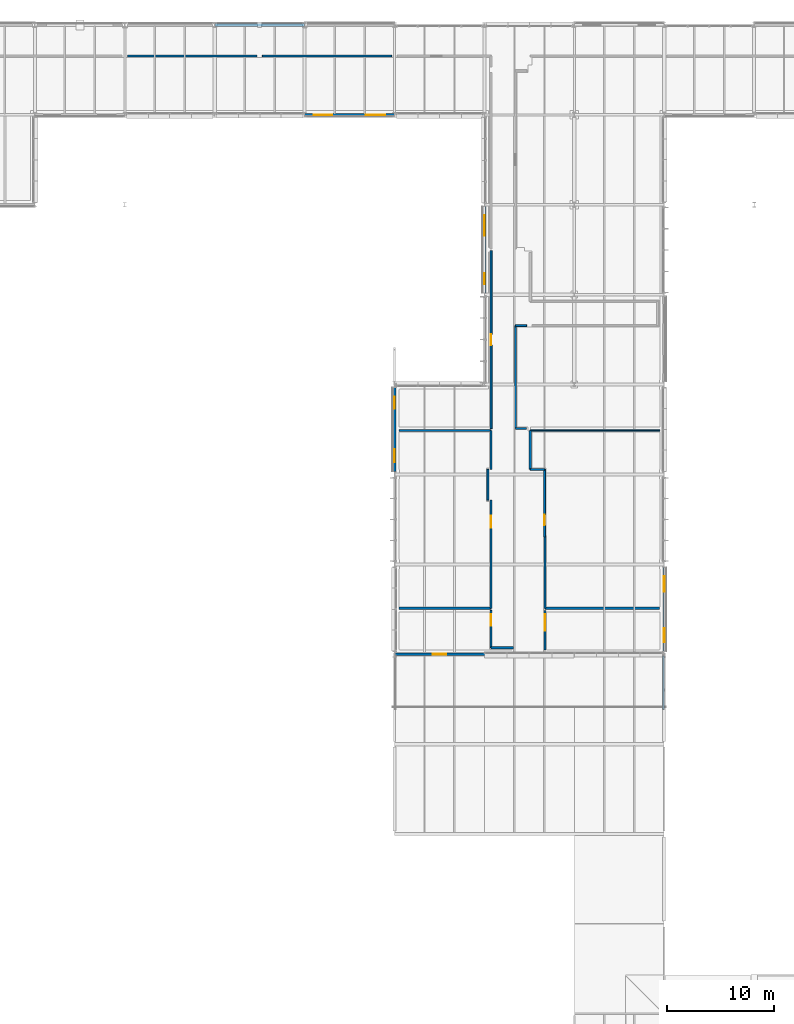
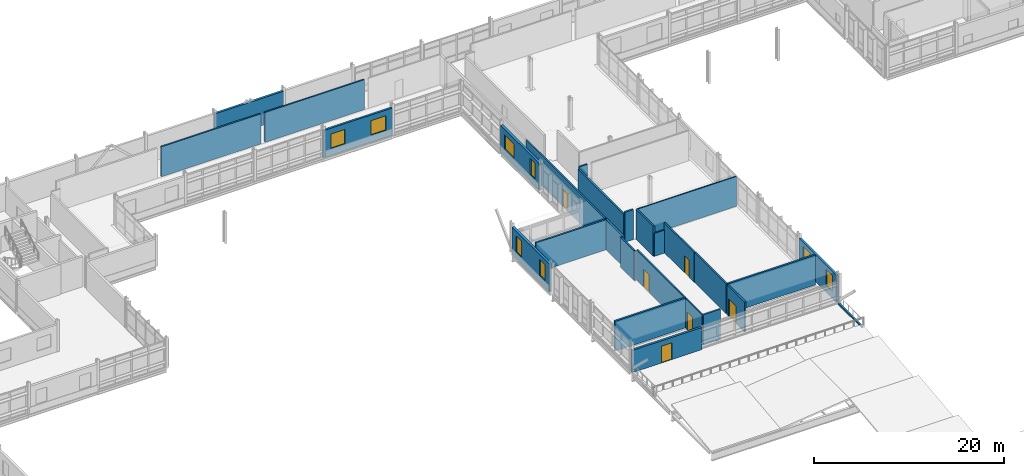
# One storey, part 86 of 103: 27 walls, 8 windows, 6 doors, 14 openings.
"""IFC4 building model written with IfcOpenShell, lengths in metres."""

from ifc_helpers import new_model, si_unit, direction, frame, frame_2d, origin, place, context, subcontext, project, spatial, rectangle, extrude, material, layer, layer_set, type_object, element, fill, save


model = new_model("IFC4")

# Units and contexts
model_context = context("Model", 3, precision=1e-05, world=origin(), true_north=direction((0.0, 1.0)))
body_context = subcontext(model_context, "Body", "Model", "MODEL_VIEW")
ifc_project = project(units=[si_unit("LENGTHUNIT", "METRE"), si_unit("AREAUNIT", "SQUARE_METRE"), si_unit("VOLUMEUNIT", "CUBIC_METRE"), si_unit("PLANEANGLEUNIT", "RADIAN"), si_unit("MASSUNIT", "GRAM", prefix="KILO")], contexts=[model_context])

# Site, building, storey
site_placement = place(None, origin())
site = spatial("IfcSite", under=ifc_project, at=site_placement, CompositionType="ELEMENT")
building_placement = place(site_placement, origin())
building = spatial("IfcBuilding", under=site, at=building_placement, Name="Mersafa Astral City Hall", CompositionType="ELEMENT")
storey_placement = place(building_placement, frame((0.0, 0.0, 18.0)))
storey = spatial("IfcBuildingStorey", under=building, at=storey_placement, Name="L04", CompositionType="ELEMENT", Elevation=18.0)

# Wall, openings, windows
ifc_material_1 = material(Name="Precast concrete C40/50 insulated terracotta spandrel", Category="masonry")
ifc_layer_1 = layer(ifc_material_1, 0.235107421875, Name="Precast concrete C40/50 insulated terracotta spandrel")
ifc_layer_set_1 = layer_set([ifc_layer_1], Name="Precast concrete C40/50 insulated terracotta spandrel — ENV-WAL-EXT-235")
wall_type_1 = type_object("IfcWallType", Name="ENV-WAL-EXT-235", PredefinedType="STANDARD", material=ifc_layer_set_1)
wall_1_placement = place(storey_placement, frame((84.008056640625, 117.60009765625, 0.0), z_axis=(0.0, 0.0, 1.0), x_axis=(1.0, 0.0, 0.0)))
wall_1 = element("IfcWall", 1, at=wall_1_placement, inside=storey, type_object=wall_type_1, Name="L04 Limestone-clad exterior wall 323", PredefinedType="STANDARD", context=body_context, shape_type="SweptSolid", body=[
    extrude(rectangle(XDim=8.384033203125, YDim=0.235107421875, at=frame_2d((4.19189453125, 0.0))), origin(), (0.0, 0.0, 1.0), 3.491943359375),
])
opening_1_placement = place(wall_1_placement, frame((0.85009765625, 0.0, 0.89990234375)))
opening_1 = element("IfcOpeningElement", 2, at=opening_1_placement, cuts=wall_1, Name="Opening W-48", PredefinedType="OPENING", context=body_context, shape_type="SweptSolid", body=[
    extrude(rectangle(XDim=1.719970703125, YDim=1.85009765625, at=frame_2d((0.85986328125, 0.925048828125))), frame((0.0, 0.12744140625, 0.0), z_axis=(0.0, -1.0, 0.0), x_axis=(1.0, 0.0, 0.0)), (0.0, 0.0, 1.0), 0.255126953125),
])
opening_2_placement = place(wall_1_placement, frame((5.714111328125, 0.0, 0.89990234375)))
opening_2 = element("IfcOpeningElement", 3, at=opening_2_placement, cuts=wall_1, Name="Opening W-49", PredefinedType="OPENING", context=body_context, shape_type="SweptSolid", body=[
    extrude(rectangle(XDim=1.820068359375, YDim=1.85009765625, at=frame_2d((0.91015625, 0.925048828125))), frame((0.0, 0.12744140625, 0.0), z_axis=(0.0, -1.0, 0.0), x_axis=(1.0, 0.0, 0.0)), (0.0, 0.0, 1.0), 0.255126953125),
])
ifc_material_2 = material(Name="Solar control low-e double glazing in bronze frame", Category="glass")
window_type_1 = type_object("IfcWindowType", Name="ENV-WIN-W-48", PartitioningType="SINGLE_PANEL", PredefinedType="WINDOW", material=ifc_material_2)
window_1_placement = place(opening_1_placement, origin())
window_1 = element("IfcWindow", 4, at=window_1_placement, inside=storey, type_object=window_type_1, Name="L04 Solar punched window 323-L", OverallHeight=1.85009765625, OverallWidth=1.719970703125, PartitioningType="SINGLE_PANEL", PredefinedType="WINDOW", context=body_context, shape_type="SweptSolid", body=[
    extrude(rectangle(XDim=1.719970703125, YDim=1.85009765625, at=frame_2d((0.85986328125, 0.925048828125))), frame((0.0, 0.030029296875, 0.0), z_axis=(0.0, -1.0, 0.0), x_axis=(1.0, 0.0, 0.0)), (0.0, 0.0, 1.0), 0.06005859375),
])
fill(opening_1, window_1)
window_type_2 = type_object("IfcWindowType", Name="ENV-WIN-W-49", PartitioningType="SINGLE_PANEL", PredefinedType="WINDOW", material=ifc_material_2)
window_2_placement = place(opening_2_placement, origin())
window_2 = element("IfcWindow", 5, at=window_2_placement, inside=storey, type_object=window_type_2, Name="L04 Solar punched window 323-R", OverallHeight=1.85009765625, OverallWidth=1.820068359375, PartitioningType="SINGLE_PANEL", PredefinedType="WINDOW", context=body_context, shape_type="SweptSolid", body=[
    extrude(rectangle(XDim=1.820068359375, YDim=1.85009765625, at=frame_2d((0.91015625, 0.925048828125))), frame((0.0, 0.030029296875, 0.0), z_axis=(0.0, -1.0, 0.0), x_axis=(1.0, 0.0, 0.0)), (0.0, 0.0, 1.0), 0.06005859375),
])
fill(opening_2, window_2)

# Wall
ifc_material_3 = material(Name="Precast concrete C40/50 insulated limestone wall", Category="masonry")
ifc_layer_2 = layer(ifc_material_3, 0.264892578125, Name="Precast concrete C40/50 insulated limestone wall")
ifc_layer_set_2 = layer_set([ifc_layer_2], Name="Precast concrete C40/50 insulated limestone wall — ENV-WAL-EXT-265")
wall_type_2 = type_object("IfcWallType", Name="ENV-WAL-EXT-265", PredefinedType="STANDARD", material=ifc_layer_set_2)
wall_2_placement = place(storey_placement, frame((83.991943359375, 126.0, 0.0), z_axis=(0.0, 0.0, 1.0), x_axis=(-1.0, 0.0, 0.0)))
element("IfcWall", 6, at=wall_2_placement, inside=storey, type_object=wall_type_2, Name="L04 Limestone-clad exterior wall 303", PredefinedType="STANDARD", context=body_context, shape_type="SweptSolid", body=[
    extrude(rectangle(XDim=8.384033203125, YDim=0.264892578125, at=frame_2d((4.19189453125, 0.0))), origin(), (0.0, 0.0, 1.0), 3.491943359375),
])

# Wall, opening, door
wall_3_placement = place(storey_placement, frame((92.407958984375, 67.199951171875, 0.0), z_axis=(0.0, 0.0, 1.0), x_axis=(1.0, 0.0, 0.0)))
wall_3 = element("IfcWall", 7, at=wall_3_placement, inside=storey, type_object=wall_type_2, Name="L04 Terrace access facade wall TER-L04-V2S", PredefinedType="STANDARD", context=body_context, shape_type="SweptSolid", body=[
    extrude(rectangle(XDim=8.45703125, YDim=0.264892578125, at=frame_2d((4.228515625, 0.0))), origin(), (0.0, 0.0, 1.0), 2.85205078125),
])
opening_3_placement = place(wall_3_placement, frame((3.575927734375, 0.0, 0.0)))
opening_3 = element("IfcOpeningElement", 8, at=opening_3_placement, cuts=wall_3, Name="Opening TD-5", PredefinedType="OPENING", context=body_context, shape_type="SweptSolid", body=[
    extrude(rectangle(XDim=1.239990234375, YDim=2.159912109375, at=frame_2d((0.6201171875, 1.080078125))), frame((0.0, 0.142333984375, 0.0), z_axis=(0.0, -1.0, 0.0), x_axis=(1.0, 0.0, 0.0)), (0.0, 0.0, 1.0), 0.284912109375),
])
ifc_material_4 = material(Name="Anodised bronze glazed terrace door", Category="metal")
door_type_1 = type_object("IfcDoorType", Name="ENV-DR-TER-1240", OperationType="NOTDEFINED", PredefinedType="DOOR", material=ifc_material_4)
door_1_placement = place(opening_3_placement, origin())
door_1 = element("IfcDoor", 9, at=door_1_placement, inside=storey, type_object=door_type_1, Name="L04 Civic Roof Terrace Access Door TER-L04-V2S", OperationType="SINGLE_SWING_LEFT", OverallHeight=2.159912109375, OverallWidth=1.239990234375, PredefinedType="DOOR", context=body_context, shape_type="SweptSolid", body=[
    extrude(rectangle(XDim=1.239990234375, YDim=2.159912109375, at=frame_2d((0.6201171875, 1.080078125))), frame((0.0, 0.02490234375, 0.0), z_axis=(0.0, -1.0, 0.0), x_axis=(1.0, 0.0, 0.0)), (0.0, 0.0, 1.0), 0.050048828125),
])
fill(opening_3, door_1)

# Wall, openings, windows
wall_4_placement = place(storey_placement, frame((117.60009765625, 67.470947265625, 0.0), z_axis=(0.0, 0.0, 1.0), x_axis=(0.0, 1.0, 0.0)))
wall_4 = element("IfcWall", 10, at=wall_4_placement, inside=storey, type_object=wall_type_2, Name="L04 Limestone-clad exterior wall 327", PredefinedType="STANDARD", context=body_context, shape_type="SweptSolid", body=[
    extrude(rectangle(XDim=7.858154296875, YDim=0.264892578125, at=frame_2d((3.92919921875, 0.0))), origin(), (0.0, 0.0, 1.0), 3.491943359375),
])
opening_4_placement = place(wall_4_placement, frame((0.85009765625, 0.0, 0.89990234375)))
opening_4 = element("IfcOpeningElement", 11, at=opening_4_placement, cuts=wall_4, Name="Opening W-54", PredefinedType="OPENING", context=body_context, shape_type="SweptSolid", body=[
    extrude(rectangle(XDim=1.320068359375, YDim=2.050048828125, at=frame_2d((0.66015625, 1.02490234375))), frame((0.0, 0.142333984375, 0.0), z_axis=(0.0, -1.0, 0.0), x_axis=(1.0, 0.0, 0.0)), (0.0, 0.0, 1.0), 0.284912109375),
])
opening_5_placement = place(wall_4_placement, frame((5.587890625, 0.0, 0.89990234375)))
opening_5 = element("IfcOpeningElement", 12, at=opening_5_placement, cuts=wall_4, Name="Opening W-55", PredefinedType="OPENING", context=body_context, shape_type="SweptSolid", body=[
    extrude(rectangle(XDim=1.419921875, YDim=2.050048828125, at=frame_2d((0.7099609375, 1.02490234375))), frame((0.0, 0.142333984375, 0.0), z_axis=(0.0, -1.0, 0.0), x_axis=(1.0, 0.0, 0.0)), (0.0, 0.0, 1.0), 0.284912109375),
])
window_type_3 = type_object("IfcWindowType", Name="ENV-WIN-W-54", PartitioningType="SINGLE_PANEL", PredefinedType="WINDOW", material=ifc_material_2)
window_3_placement = place(opening_4_placement, origin())
window_3 = element("IfcWindow", 13, at=window_3_placement, inside=storey, type_object=window_type_3, Name="L04 Solar punched window 327-L", OverallHeight=2.050048828125, OverallWidth=1.320068359375, PartitioningType="SINGLE_PANEL", PredefinedType="WINDOW", context=body_context, shape_type="SweptSolid", body=[
    extrude(rectangle(XDim=1.320068359375, YDim=2.050048828125, at=frame_2d((0.66015625, 1.02490234375))), frame((0.0, 0.030029296875, 0.0), z_axis=(0.0, -1.0, 0.0), x_axis=(1.0, 0.0, 0.0)), (0.0, 0.0, 1.0), 0.06005859375),
])
fill(opening_4, window_3)
window_type_4 = type_object("IfcWindowType", Name="ENV-WIN-W-55", PartitioningType="SINGLE_PANEL", PredefinedType="WINDOW", material=ifc_material_2)
window_4_placement = place(opening_5_placement, origin())
window_4 = element("IfcWindow", 14, at=window_4_placement, inside=storey, type_object=window_type_4, Name="L04 Solar punched window 327-R", OverallHeight=2.050048828125, OverallWidth=1.419921875, PartitioningType="SINGLE_PANEL", PredefinedType="WINDOW", context=body_context, shape_type="SweptSolid", body=[
    extrude(rectangle(XDim=1.419921875, YDim=2.050048828125, at=frame_2d((0.7099609375, 1.02490234375))), frame((0.0, 0.030029296875, 0.0), z_axis=(0.0, -1.0, 0.0), x_axis=(1.0, 0.0, 0.0)), (0.0, 0.0, 1.0), 0.06005859375),
])
fill(opening_5, window_4)

ifc_layer_3 = layer(ifc_material_3, 0.294921875, Name="Precast concrete C40/50 insulated limestone wall")
ifc_layer_set_3 = layer_set([ifc_layer_3], Name="Precast concrete C40/50 insulated limestone wall — ENV-WAL-EXT-295")
wall_type_3 = type_object("IfcWallType", Name="ENV-WAL-EXT-295", PredefinedType="STANDARD", material=ifc_layer_set_3)
wall_5_placement = place(storey_placement, frame((92.39990234375, 92.12890625, 0.0), z_axis=(0.0, 0.0, 1.0), x_axis=(0.0, -1.0, 0.0)))
wall_5 = element("IfcWall", 15, at=wall_5_placement, inside=storey, type_object=wall_type_3, Name="L04 Limestone-clad exterior wall 325", PredefinedType="STANDARD", context=body_context, shape_type="SweptSolid", body=[
    extrude(rectangle(XDim=7.85791015625, YDim=0.294921875, at=frame_2d((3.928955078125, 0.0))), origin(), (0.0, 0.0, 1.0), 3.58203125),
])
opening_6_placement = place(wall_5_placement, frame((0.85009765625, 0.0, 0.89990234375)))
opening_6 = element("IfcOpeningElement", 16, at=opening_6_placement, cuts=wall_5, Name="Opening W-52", PredefinedType="OPENING", context=body_context, shape_type="SweptSolid", body=[
    extrude(rectangle(XDim=1.1201171875, YDim=2.050048828125, at=frame_2d((0.56005859375, 1.02490234375))), frame((0.0, 0.157470703125, 0.0), z_axis=(0.0, -1.0, 0.0), x_axis=(1.0, 0.0, 0.0)), (0.0, 0.0, 1.0), 0.31494140625),
])
opening_7_placement = place(wall_5_placement, frame((5.7880859375, 0.0, 0.89990234375)))
opening_7 = element("IfcOpeningElement", 17, at=opening_7_placement, cuts=wall_5, Name="Opening W-53", PredefinedType="OPENING", context=body_context, shape_type="SweptSolid", body=[
    extrude(rectangle(XDim=1.219970703125, YDim=2.050048828125, at=frame_2d((0.60986328125, 1.02490234375))), frame((0.0, 0.157470703125, 0.0), z_axis=(0.0, -1.0, 0.0), x_axis=(1.0, 0.0, 0.0)), (0.0, 0.0, 1.0), 0.31494140625),
])
window_type_5 = type_object("IfcWindowType", Name="ENV-WIN-W-52", PartitioningType="SINGLE_PANEL", PredefinedType="WINDOW", material=ifc_material_2)
window_5_placement = place(opening_6_placement, origin())
window_5 = element("IfcWindow", 18, at=window_5_placement, inside=storey, type_object=window_type_5, Name="L04 Solar punched window 325-L", OverallHeight=2.050048828125, OverallWidth=1.1201171875, PartitioningType="SINGLE_PANEL", PredefinedType="WINDOW", context=body_context, shape_type="SweptSolid", body=[
    extrude(rectangle(XDim=1.1201171875, YDim=2.050048828125, at=frame_2d((0.56005859375, 1.02490234375))), frame((0.0, 0.030029296875, 0.0), z_axis=(0.0, -1.0, 0.0), x_axis=(1.0, 0.0, 0.0)), (0.0, 0.0, 1.0), 0.06005859375),
])
fill(opening_6, window_5)
window_type_6 = type_object("IfcWindowType", Name="ENV-WIN-W-53", PartitioningType="SINGLE_PANEL", PredefinedType="WINDOW", material=ifc_material_2)
window_6_placement = place(opening_7_placement, origin())
window_6 = element("IfcWindow", 19, at=window_6_placement, inside=storey, type_object=window_type_6, Name="L04 Solar punched window 325-R", OverallHeight=2.050048828125, OverallWidth=1.219970703125, PartitioningType="SINGLE_PANEL", PredefinedType="WINDOW", context=body_context, shape_type="SweptSolid", body=[
    extrude(rectangle(XDim=1.219970703125, YDim=2.050048828125, at=frame_2d((0.60986328125, 1.02490234375))), frame((0.0, 0.030029296875, 0.0), z_axis=(0.0, -1.0, 0.0), x_axis=(1.0, 0.0, 0.0)), (0.0, 0.0, 1.0), 0.06005859375),
])
fill(opening_7, window_6)

ifc_layer_4 = layer(ifc_material_3, 0.31005859375, Name="Precast concrete C40/50 insulated limestone wall")
ifc_layer_set_4 = layer_set([ifc_layer_4], Name="Precast concrete C40/50 insulated limestone wall — ENV-WAL-EXT-310")
wall_type_4 = type_object("IfcWallType", Name="ENV-WAL-EXT-310", PredefinedType="STANDARD", material=ifc_layer_set_4)
wall_6_placement = place(storey_placement, frame((100.800048828125, 109.053955078125, 0.0), z_axis=(0.0, 0.0, 1.0), x_axis=(0.0, -1.0, 0.0)))
wall_6 = element("IfcWall", 20, at=wall_6_placement, inside=storey, type_object=wall_type_4, Name="L04 Limestone-clad exterior wall 324", PredefinedType="STANDARD", context=body_context, shape_type="SweptSolid", body=[
    extrude(rectangle(XDim=8.10791015625, YDim=0.31005859375, at=frame_2d((4.053955078125, 0.0))), origin(), (0.0, 0.0, 1.0), 3.471923828125),
])
opening_8_placement = place(wall_6_placement, frame((0.85009765625, 0.0, 0.89990234375)))
opening_8 = element("IfcOpeningElement", 21, at=opening_8_placement, cuts=wall_6, Name="Opening W-50", PredefinedType="OPENING", context=body_context, shape_type="SweptSolid", body=[
    extrude(rectangle(XDim=1.919921875, YDim=1.85009765625, at=frame_2d((0.9599609375, 0.925048828125))), frame((0.0, 0.1650390625, 0.0), z_axis=(0.0, -1.0, 0.0), x_axis=(1.0, 0.0, 0.0)), (0.0, 0.0, 1.0), 0.330078125),
])
opening_9_placement = place(wall_6_placement, frame((6.238037109375, 0.0, 0.89990234375)))
opening_9 = element("IfcOpeningElement", 22, at=opening_9_placement, cuts=wall_6, Name="Opening W-51", PredefinedType="OPENING", context=body_context, shape_type="SweptSolid", body=[
    extrude(rectangle(XDim=1.02001953125, YDim=2.050048828125, at=frame_2d((0.510009765625, 1.02490234375))), frame((0.0, 0.1650390625, 0.0), z_axis=(0.0, -1.0, 0.0), x_axis=(1.0, 0.0, 0.0)), (0.0, 0.0, 1.0), 0.330078125),
])
window_type_7 = type_object("IfcWindowType", Name="ENV-WIN-W-50", PartitioningType="SINGLE_PANEL", PredefinedType="WINDOW", material=ifc_material_2)
window_7_placement = place(opening_8_placement, origin())
window_7 = element("IfcWindow", 23, at=window_7_placement, inside=storey, type_object=window_type_7, Name="L04 Solar punched window 324-L", OverallHeight=1.85009765625, OverallWidth=1.919921875, PartitioningType="SINGLE_PANEL", PredefinedType="WINDOW", context=body_context, shape_type="SweptSolid", body=[
    extrude(rectangle(XDim=1.919921875, YDim=1.85009765625, at=frame_2d((0.9599609375, 0.925048828125))), frame((0.0, 0.030029296875, 0.0), z_axis=(0.0, -1.0, 0.0), x_axis=(1.0, 0.0, 0.0)), (0.0, 0.0, 1.0), 0.06005859375),
])
fill(opening_8, window_7)
window_type_8 = type_object("IfcWindowType", Name="ENV-WIN-W-51", PartitioningType="SINGLE_PANEL", PredefinedType="WINDOW", material=ifc_material_2)
window_8_placement = place(opening_9_placement, origin())
window_8 = element("IfcWindow", 24, at=window_8_placement, inside=storey, type_object=window_type_8, Name="L04 Solar punched window 324-R", OverallHeight=2.050048828125, OverallWidth=1.02001953125, PartitioningType="SINGLE_PANEL", PredefinedType="WINDOW", context=body_context, shape_type="SweptSolid", body=[
    extrude(rectangle(XDim=1.02001953125, YDim=2.050048828125, at=frame_2d((0.510009765625, 1.02490234375))), frame((0.0, 0.030029296875, 0.0), z_axis=(0.0, -1.0, 0.0), x_axis=(1.0, 0.0, 0.0)), (0.0, 0.0, 1.0), 0.06005859375),
])
fill(opening_9, window_8)

# Walls
ifc_material_5 = material(Name="Precast concrete C40/50 parapet", Category="concrete")
ifc_layer_5 = layer(ifc_material_5, 0.199951171875, Name="Precast concrete C40/50 parapet")
ifc_layer_set_5 = layer_set([ifc_layer_5], Name="Precast concrete C40/50 parapet — ENV-WAL-PAR-200")
wall_type_5 = type_object("IfcWallType", Name="ENV-WAL-PAR-200", PredefinedType="PARAPET", material=ifc_layer_set_5)
wall_7_placement = place(storey_placement, frame((117.530029296875, 62.06005859375, 0.0), z_axis=(0.0, 0.0, 1.0), x_axis=(0.0, 1.0, 0.0)))
element("IfcWall", 25, at=wall_7_placement, inside=storey, type_object=wall_type_5, Name="L04 Terrace stone kerb parapet 8", PredefinedType="PARAPET", context=body_context, shape_type="SweptSolid", body=[
    extrude(rectangle(XDim=5.0, YDim=0.199951171875, at=frame_2d((2.5, 0.0))), origin(), (0.0, 0.0, 1.0), 0.219970703125),
])
ifc_material_6 = material(Name="Acoustic steel-stud gypsum partition", Category="steel")
ifc_layer_6 = layer(ifc_material_6, 0.1201171875, Name="Acoustic steel-stud gypsum partition")
ifc_layer_set_6 = layer_set([ifc_layer_6], Name="Acoustic steel-stud gypsum partition — INT-WAL-PART-EI30-120")
wall_type_6 = type_object("IfcWallType", Name="INT-WAL-PART-EI30-120", PredefinedType="STANDARD", material=ifc_layer_set_6)
wall_8_placement = place(storey_placement, frame((105.090087890625, 88.110107421875, -0.00390625), z_axis=(0.0, 0.0, 1.0), x_axis=(1.0, 0.0, 0.0)))
element("IfcWall", 26, at=wall_8_placement, inside=storey, type_object=wall_type_6, Name="L04 Interior partition wall 677", PredefinedType="STANDARD", context=body_context, shape_type="SweptSolid", body=[
    extrude(rectangle(XDim=12.08984375, YDim=0.1201171875, at=frame_2d((6.044921875, 0.0))), origin(), (0.0, 0.0, 1.0), 3.85400390625),
])
ifc_material_7 = material(Name="Fire-rated gypsum stud partition", Category="gypsum")
ifc_layer_7 = layer(ifc_material_7, 0.1650390625, Name="Fire-rated gypsum stud partition")
ifc_layer_set_7 = layer_set([ifc_layer_7], Name="Fire-rated gypsum stud partition — INT-WAL-PART-EI60-165")
wall_type_7 = type_object("IfcWallType", Name="INT-WAL-PART-EI60-165", PredefinedType="STANDARD", material=ifc_layer_set_7)
wall_9_placement = place(storey_placement, frame((106.429931640625, 84.469970703125, -0.00390625), z_axis=(0.0, 0.0, 1.0), x_axis=(-1.0, 0.0, 0.0)))
element("IfcWall", 27, at=wall_9_placement, inside=storey, type_object=wall_type_7, Name="L04 Interior partition wall 675", PredefinedType="STANDARD", context=body_context, shape_type="SweptSolid", body=[
    extrude(rectangle(XDim=1.33984375, YDim=0.1650390625, at=frame_2d((0.669921875, 0.0))), origin(), (0.0, 0.0, 1.0), 2.955810546875),
])

# Wall, opening, door
wall_10_placement = place(storey_placement, frame((101.419921875, 81.610107421875, -0.00390625), z_axis=(0.0, 0.0, 1.0), x_axis=(0.0, -1.0, 0.0)))
wall_10 = element("IfcWall", 28, at=wall_10_placement, inside=storey, type_object=wall_type_7, Name="L04 Interior partition wall 695", PredefinedType="STANDARD", context=body_context, shape_type="SweptSolid", body=[
    extrude(rectangle(XDim=10.1201171875, YDim=0.1650390625, at=frame_2d((5.06005859375, 0.0))), origin(), (0.0, 0.0, 1.0), 3.85400390625),
])
opening_10_placement = place(wall_10_placement, frame((1.47412109375, 0.0, 0.0)))
opening_10 = element("IfcOpeningElement", 29, at=opening_10_placement, cuts=wall_10, Name="Opening D-22", PredefinedType="OPENING", context=body_context, shape_type="SweptSolid", body=[
    extrude(rectangle(XDim=1.10009765625, YDim=2.219970703125, at=frame_2d((0.550048828125, 1.10986328125))), frame((0.0, 0.092529296875, 0.0), z_axis=(0.0, -1.0, 0.0), x_axis=(1.0, 0.0, 0.0)), (0.0, 0.0, 1.0), 0.18505859375),
])
ifc_material_8 = material(Name="Cedar veneered acoustic fire-rated timber door", Category="wood")
door_type_2 = type_object("IfcDoorType", Name="INT-DR-RM-D-22", OperationType="NOTDEFINED", PredefinedType="DOOR", material=ifc_material_8)
door_2_placement = place(opening_10_placement, origin())
door_2 = element("IfcDoor", 30, at=door_2_placement, inside=storey, type_object=door_type_2, Name="L04 Metropolitan Transport Planning Office L04-03 Entrance Door", OperationType="SINGLE_SWING_RIGHT", OverallHeight=2.219970703125, OverallWidth=1.10009765625, PredefinedType="DOOR", context=body_context, shape_type="SweptSolid", body=[
    extrude(rectangle(XDim=1.10009765625, YDim=2.219970703125, at=frame_2d((0.550048828125, 1.10986328125))), frame((0.0, 0.02490234375, 0.0), z_axis=(0.0, -1.0, 0.0), x_axis=(1.0, 0.0, 0.0)), (0.0, 0.0, 1.0), 0.050048828125),
])
fill(opening_10, door_2)

wall_11_placement = place(storey_placement, frame((101.419921875, 71.31005859375, -0.00390625), z_axis=(0.0, 0.0, 1.0), x_axis=(0.0, -1.0, 0.0)))
wall_11 = element("IfcWall", 31, at=wall_11_placement, inside=storey, type_object=wall_type_7, Name="L04 Interior partition wall 735", PredefinedType="STANDARD", context=body_context, shape_type="SweptSolid", body=[
    extrude(rectangle(XDim=3.489990234375, YDim=0.1650390625, at=frame_2d((1.7451171875, 0.0))), origin(), (0.0, 0.0, 1.0), 3.85400390625),
])
opening_11_placement = place(wall_11_placement, frame((0.360107421875, 0.0, 0.0)))
opening_11 = element("IfcOpeningElement", 32, at=opening_11_placement, cuts=wall_11, Name="Opening D-31", PredefinedType="OPENING", context=body_context, shape_type="SweptSolid", body=[
    extrude(rectangle(XDim=1.10009765625, YDim=2.300048828125, at=frame_2d((0.550048828125, 1.14990234375))), frame((0.0, 0.092529296875, 0.0), z_axis=(0.0, -1.0, 0.0), x_axis=(1.0, 0.0, 0.0)), (0.0, 0.0, 1.0), 0.18505859375),
])
door_type_3 = type_object("IfcDoorType", Name="INT-DR-RM-D-31", OperationType="NOTDEFINED", PredefinedType="DOOR", material=ifc_material_8)
door_3_placement = place(opening_11_placement, origin())
door_3 = element("IfcDoor", 33, at=door_3_placement, inside=storey, type_object=door_type_3, Name="L04 Public Works Engineering Office L04-12 Entrance Door", OperationType="SINGLE_SWING_LEFT", OverallHeight=2.300048828125, OverallWidth=1.10009765625, PredefinedType="DOOR", context=body_context, shape_type="SweptSolid", body=[
    extrude(rectangle(XDim=1.10009765625, YDim=2.300048828125, at=frame_2d((0.550048828125, 1.14990234375))), frame((0.0, 0.02490234375, 0.0), z_axis=(0.0, -1.0, 0.0), x_axis=(1.0, 0.0, 0.0)), (0.0, 0.0, 1.0), 0.050048828125),
])
fill(opening_11, door_3)

ifc_material_9 = material(Name="Acoustic twin-stud gypsum partition", Category="gypsum")
ifc_layer_8 = layer(ifc_material_9, 0.179931640625, Name="Acoustic twin-stud gypsum partition")
ifc_layer_set_8 = layer_set([ifc_layer_8], Name="Acoustic twin-stud gypsum partition — INT-WAL-PART-EI60-180")
wall_type_8 = type_object("IfcWallType", Name="INT-WAL-PART-EI60-180", PredefinedType="STANDARD", material=ifc_layer_set_8)
wall_12_placement = place(storey_placement, frame((106.429931640625, 78.179931640625, -0.00390625), z_axis=(0.0, 0.0, 1.0), x_axis=(0.0, 1.0, 0.0)))
wall_12 = element("IfcWall", 34, at=wall_12_placement, inside=storey, type_object=wall_type_8, Name="L04 Interior partition wall 674", PredefinedType="STANDARD", context=body_context, shape_type="SweptSolid", body=[
    extrude(rectangle(XDim=6.2900390625, YDim=0.179931640625, at=frame_2d((3.14501953125, 0.0))), origin(), (0.0, 0.0, 1.0), 3.85400390625),
])
opening_12_placement = place(wall_12_placement, frame((1.08251953125, 0.0, 0.0)))
opening_12 = element("IfcOpeningElement", 35, at=opening_12_placement, cuts=wall_12, Name="Opening D-20", PredefinedType="OPENING", context=body_context, shape_type="SweptSolid", body=[
    extrude(rectangle(XDim=0.97998046875, YDim=2.219970703125, at=frame_2d((0.489990234375, 1.10986328125))), frame((0.0, 0.099853515625, 0.0), z_axis=(0.0, -1.0, 0.0), x_axis=(1.0, 0.0, 0.0)), (0.0, 0.0, 1.0), 0.199951171875),
])
door_type_4 = type_object("IfcDoorType", Name="INT-DR-RM-D-20", OperationType="NOTDEFINED", PredefinedType="DOOR", material=ifc_material_8)
door_4_placement = place(opening_12_placement, origin())
door_4 = element("IfcDoor", 36, at=door_4_placement, inside=storey, type_object=door_type_4, Name="L04 Social Services Directorate Office L04-01 Entrance Door", OperationType="SINGLE_SWING_RIGHT", OverallHeight=2.219970703125, OverallWidth=0.97998046875, PredefinedType="DOOR", context=body_context, shape_type="SweptSolid", body=[
    extrude(rectangle(XDim=0.97998046875, YDim=2.219970703125, at=frame_2d((0.489990234375, 1.10986328125))), frame((0.0, 0.02490234375, 0.0), z_axis=(0.0, -1.0, 0.0), x_axis=(1.0, 0.0, 0.0)), (0.0, 0.0, 1.0), 0.050048828125),
])
fill(opening_12, door_4)

# Walls
wall_13_placement = place(storey_placement, frame((103.699951171875, 97.89990234375, -0.00390625), z_axis=(0.0, 0.0, 1.0), x_axis=(1.0, 0.0, 0.0)))
element("IfcWall", 37, at=wall_13_placement, inside=storey, type_object=wall_type_8, Name="L04 Interior partition wall 690", PredefinedType="STANDARD", context=body_context, shape_type="SweptSolid", body=[
    extrude(rectangle(XDim=1.0400390625, YDim=0.179931640625, at=frame_2d((0.52001953125, 0.0))), origin(), (0.0, 0.0, 1.0), 3.85400390625),
])
wall_14_placement = place(storey_placement, frame((101.1298828125, 84.469970703125, -0.00390625), z_axis=(0.0, 0.0, 1.0), x_axis=(0.0, -1.0, 0.0)))
element("IfcWall", 38, at=wall_14_placement, inside=storey, type_object=wall_type_8, Name="L04 Interior partition wall 694", PredefinedType="STANDARD", context=body_context, shape_type="SweptSolid", body=[
    extrude(rectangle(XDim=2.85986328125, YDim=0.179931640625, at=frame_2d((1.429931640625, 0.0))), origin(), (0.0, 0.0, 1.0), 3.85400390625),
])
wall_15_placement = place(storey_placement, frame((80.06005859375, 123.10009765625, -0.00390625), z_axis=(0.0, 0.0, 1.0), x_axis=(1.0, 0.0, 0.0)))
element("IfcWall", 39, at=wall_15_placement, inside=storey, type_object=wall_type_8, Name="L04 Interior partition wall 730", PredefinedType="STANDARD", context=body_context, shape_type="SweptSolid", body=[
    extrude(rectangle(XDim=12.079833984375, YDim=0.179931640625, at=frame_2d((6.0400390625, 0.0))), origin(), (0.0, 0.0, 1.0), 3.85400390625),
])

# Wall, opening, door
wall_16_placement = place(storey_placement, frame((101.419921875, 104.909912109375, -0.00390625), z_axis=(0.0, 0.0, 1.0), x_axis=(0.0, -1.0, 0.0)))
wall_16 = element("IfcWall", 40, at=wall_16_placement, inside=storey, type_object=wall_type_8, Name="L04 Interior partition wall 734", PredefinedType="STANDARD", context=body_context, shape_type="SweptSolid", body=[
    extrude(rectangle(XDim=16.619873046875, YDim=0.179931640625, at=frame_2d((8.31005859375, 0.0))), origin(), (0.0, 0.0, 1.0), 3.85400390625),
])
opening_13_placement = place(wall_16_placement, frame((7.7900390625, 0.0, 0.0)))
opening_13 = element("IfcOpeningElement", 41, at=opening_13_placement, cuts=wall_16, Name="Opening D-30", PredefinedType="OPENING", context=body_context, shape_type="SweptSolid", body=[
    extrude(rectangle(XDim=1.0400390625, YDim=2.300048828125, at=frame_2d((0.52001953125, 1.14990234375))), frame((0.0, 0.099853515625, 0.0), z_axis=(0.0, -1.0, 0.0), x_axis=(1.0, 0.0, 0.0)), (0.0, 0.0, 1.0), 0.199951171875),
])
door_type_5 = type_object("IfcDoorType", Name="INT-DR-RM-D-30", OperationType="NOTDEFINED", PredefinedType="DOOR", material=ifc_material_8)
door_5_placement = place(opening_13_placement, origin())
door_5 = element("IfcDoor", 42, at=door_5_placement, inside=storey, type_object=door_type_5, Name="L04 Metropolitan Transport Planning Office L04-11 Entrance Door", OperationType="SINGLE_SWING_RIGHT", OverallHeight=2.300048828125, OverallWidth=1.0400390625, PredefinedType="DOOR", context=body_context, shape_type="SweptSolid", body=[
    extrude(rectangle(XDim=1.0400390625, YDim=2.300048828125, at=frame_2d((0.52001953125, 1.14990234375))), frame((0.0, 0.02490234375, 0.0), z_axis=(0.0, -1.0, 0.0), x_axis=(1.0, 0.0, 0.0)), (0.0, 0.0, 1.0), 0.050048828125),
])
fill(opening_13, door_5)

# Walls
ifc_layer_9 = layer(ifc_material_9, 0.195068359375, Name="Acoustic twin-stud gypsum partition")
ifc_layer_set_9 = layer_set([ifc_layer_9], Name="Acoustic twin-stud gypsum partition — INT-WAL-PART-EI60-195")
wall_type_9 = type_object("IfcWallType", Name="INT-WAL-PART-EI60-195", PredefinedType="STANDARD", material=ifc_layer_set_9)
wall_17_placement = place(storey_placement, frame((106.47998046875, 71.489990234375, -0.00390625), z_axis=(0.0, 0.0, 1.0), x_axis=(0.0, 1.0, 0.0)))
element("IfcWall", 43, at=wall_17_placement, inside=storey, type_object=wall_type_9, Name="L04 Interior partition wall 673", PredefinedType="STANDARD", context=body_context, shape_type="SweptSolid", body=[
    extrude(rectangle(XDim=6.68994140625, YDim=0.195068359375, at=frame_2d((3.344970703125, 0.0))), origin(), (0.0, 0.0, 1.0), 3.85400390625),
])
wall_18_placement = place(storey_placement, frame((103.699951171875, 88.2900390625, -0.00390625), z_axis=(0.0, 0.0, 1.0), x_axis=(0.0, 1.0, 0.0)))
element("IfcWall", 44, at=wall_18_placement, inside=storey, type_object=wall_type_9, Name="L04 Interior partition wall 689", PredefinedType="STANDARD", context=body_context, shape_type="SweptSolid", body=[
    extrude(rectangle(XDim=9.60986328125, YDim=0.195068359375, at=frame_2d((4.804931640625, 0.0))), origin(), (0.0, 0.0, 1.0), 3.56591796875),
])
wall_19_placement = place(storey_placement, frame((101.419921875, 88.110107421875, -0.00390625), z_axis=(0.0, 0.0, 1.0), x_axis=(0.0, -1.0, 0.0)))
element("IfcWall", 45, at=wall_19_placement, inside=storey, type_object=wall_type_9, Name="L04 Interior partition wall 693", PredefinedType="STANDARD", context=body_context, shape_type="SweptSolid", body=[
    extrude(rectangle(XDim=3.64013671875, YDim=0.195068359375, at=frame_2d((1.820068359375, 0.0))), origin(), (0.0, 0.0, 1.0), 3.85400390625),
])

# Wall, opening, door
wall_20_placement = place(storey_placement, frame((106.47998046875, 67.6201171875, -0.00390625), z_axis=(0.0, 0.0, 1.0), x_axis=(0.0, 1.0, 0.0)))
wall_20 = element("IfcWall", 46, at=wall_20_placement, inside=storey, type_object=wall_type_9, Name="L04 Interior partition wall 713", PredefinedType="STANDARD", context=body_context, shape_type="SweptSolid", body=[
    extrude(rectangle(XDim=3.68994140625, YDim=0.195068359375, at=frame_2d((1.844970703125, 0.0))), origin(), (0.0, 0.0, 1.0), 3.85400390625),
])
opening_14_placement = place(wall_20_placement, frame((1.7900390625, 0.0, 0.0)))
opening_14 = element("IfcOpeningElement", 47, at=opening_14_placement, cuts=wall_20, Name="Opening D-26", PredefinedType="OPENING", context=body_context, shape_type="SweptSolid", body=[
    extrude(rectangle(XDim=1.5400390625, YDim=2.219970703125, at=frame_2d((0.77001953125, 1.10986328125))), frame((0.0, 0.107421875, 0.0), z_axis=(0.0, -1.0, 0.0), x_axis=(1.0, 0.0, 0.0)), (0.0, 0.0, 1.0), 0.215087890625),
])
door_type_6 = type_object("IfcDoorType", Name="INT-DR-RM-D-26", OperationType="NOTDEFINED", PredefinedType="DOOR", material=ifc_material_8)
door_6_placement = place(opening_14_placement, origin())
door_6 = element("IfcDoor", 48, at=door_6_placement, inside=storey, type_object=door_type_6, Name="L04 Municipal Audit & Compliance Office L04-07 Entrance Door", OperationType="SINGLE_SWING_RIGHT", OverallHeight=2.219970703125, OverallWidth=1.5400390625, PredefinedType="DOOR", context=body_context, shape_type="SweptSolid", body=[
    extrude(rectangle(XDim=1.5400390625, YDim=2.219970703125, at=frame_2d((0.77001953125, 1.10986328125))), frame((0.0, 0.02490234375, 0.0), z_axis=(0.0, -1.0, 0.0), x_axis=(1.0, 0.0, 0.0)), (0.0, 0.0, 1.0), 0.050048828125),
])
fill(opening_14, door_6)

# Walls
wall_21_placement = place(storey_placement, frame((67.4599609375, 123.10009765625, -0.00390625), z_axis=(0.0, 0.0, 1.0), x_axis=(1.0, 0.0, 0.0)))
element("IfcWall", 49, at=wall_21_placement, inside=storey, type_object=wall_type_9, Name="L04 Interior partition wall 729", PredefinedType="STANDARD", context=body_context, shape_type="SweptSolid", body=[
    extrude(rectangle(XDim=12.080078125, YDim=0.195068359375, at=frame_2d((6.0400390625, 0.0))), origin(), (0.0, 0.0, 1.0), 3.85400390625),
])
ifc_material_10 = material(Name="Autoclaved aerated concrete blockwork plastered", Category="masonry")
ifc_layer_10 = layer(ifc_material_10, 0.2099609375, Name="Autoclaved aerated concrete blockwork plastered")
ifc_layer_set_10 = layer_set([ifc_layer_10], Name="Autoclaved aerated concrete blockwork plastered — INT-WAL-PART-EI60-210")
wall_type_10 = type_object("IfcWallType", Name="INT-WAL-PART-EI60-210", PredefinedType="STANDARD", material=ifc_layer_set_10)
wall_22_placement = place(storey_placement, frame((117.179931640625, 71.489990234375, -0.00390625), z_axis=(0.0, 0.0, 1.0), x_axis=(-1.0, 0.0, 0.0)))
element("IfcWall", 50, at=wall_22_placement, inside=storey, type_object=wall_type_10, Name="L04 Interior partition wall 672", PredefinedType="STANDARD", context=body_context, shape_type="SweptSolid", body=[
    extrude(rectangle(XDim=10.699951171875, YDim=0.2099609375, at=frame_2d((5.35009765625, 0.0))), origin(), (0.0, 0.0, 1.0), 3.85400390625),
])
wall_23_placement = place(storey_placement, frame((105.090087890625, 84.469970703125, -0.00390625), z_axis=(0.0, 0.0, 1.0), x_axis=(0.0, 1.0, 0.0)))
element("IfcWall", 51, at=wall_23_placement, inside=storey, type_object=wall_type_10, Name="L04 Interior partition wall 676", PredefinedType="STANDARD", context=body_context, shape_type="SweptSolid", body=[
    extrude(rectangle(XDim=3.64013671875, YDim=0.2099609375, at=frame_2d((1.820068359375, 0.0))), origin(), (0.0, 0.0, 1.0), 3.85400390625),
])
wall_24_placement = place(storey_placement, frame((104.739990234375, 88.2900390625, -0.00390625), z_axis=(0.0, 0.0, 1.0), x_axis=(-1.0, 0.0, 0.0)))
element("IfcWall", 52, at=wall_24_placement, inside=storey, type_object=wall_type_10, Name="L04 Interior partition wall 688", PredefinedType="STANDARD", context=body_context, shape_type="SweptSolid", body=[
    extrude(rectangle(XDim=1.0400390625, YDim=0.2099609375, at=frame_2d((0.52001953125, 0.0))), origin(), (0.0, 0.0, 1.0), 3.85400390625),
])
for number, where, z_axis, x_axis, name in (
    (53, (92.820068359375, 88.110107421875, -0.00390625), (0.0, 0.0, 1.0), (1.0, 0.0, 0.0), "L04 Interior partition wall 692"),
    (54, (101.419921875, 71.489990234375, -0.00390625), (0.0, 0.0, 1.0), (-1.0, 0.0, 0.0), "L04 Interior partition wall 696"),
):
    element("IfcWall", number, at=place(storey_placement, frame(where, z_axis=z_axis, x_axis=x_axis)), inside=storey, type_object=wall_type_10, Name=name, PredefinedType="STANDARD", context=body_context, shape_type="SweptSolid", body=[
        extrude(rectangle(XDim=8.599853515625, YDim=0.2099609375, at=frame_2d((4.2998046875, 0.0))), origin(), (0.0, 0.0, 1.0), 3.85400390625),
    ])
wall_25_placement = place(storey_placement, frame((101.419921875, 67.820068359375, -0.00390625), z_axis=(0.0, 0.0, 1.0), x_axis=(1.0, 0.0, 0.0)))
element("IfcWall", 55, at=wall_25_placement, inside=storey, type_object=wall_type_10, Name="L04 Interior partition wall 736", PredefinedType="STANDARD", context=body_context, shape_type="SweptSolid", body=[
    extrude(rectangle(XDim=2.10009765625, YDim=0.2099609375, at=frame_2d((1.050048828125, 0.0))), origin(), (0.0, 0.0, 1.0), 3.85400390625),
])

save(model, "model.ifc")
